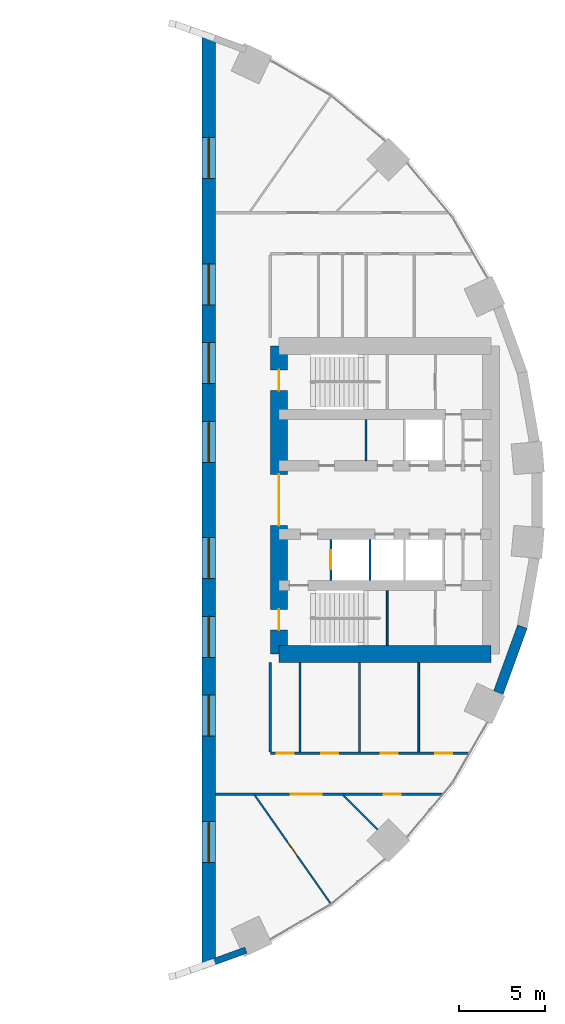
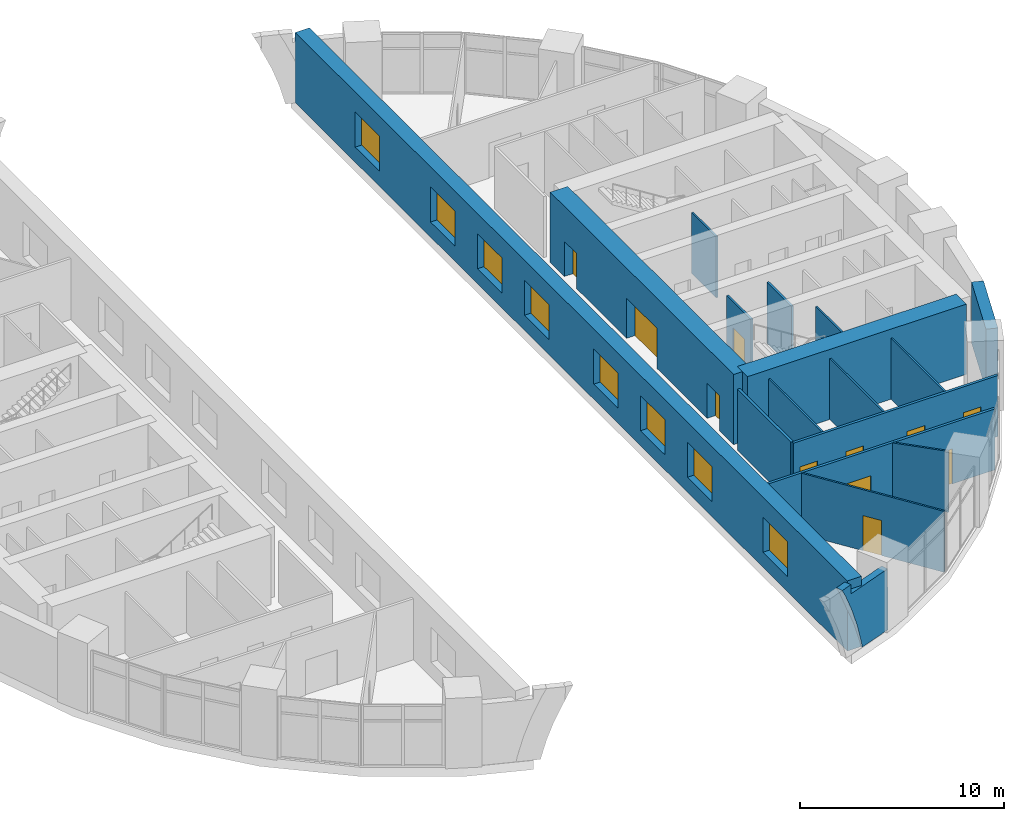
# One storey, part 9 of 13: 17 walls, 11 doors, 8 windows, 19 openings.
"""IFC4 building model written with IfcOpenShell, lengths in metres."""

from ifc_helpers import new_model, si_unit, direction, frame, frame_2d, origin, place, context, subcontext, project, spatial, polyline, rectangle, outline, extrude, material, layer, layer_set, type_object, element, fill, save


model = new_model("IFC4")

# Units and contexts
model_context = context("Model", 3, precision=1e-05, world=origin(), true_north=direction((0.0, 1.0)))
body_context = subcontext(model_context, "Body", "Model", "MODEL_VIEW")
ifc_project = project(units=[si_unit("LENGTHUNIT", "METRE"), si_unit("AREAUNIT", "SQUARE_METRE"), si_unit("VOLUMEUNIT", "CUBIC_METRE"), si_unit("PLANEANGLEUNIT", "RADIAN"), si_unit("MASSUNIT", "GRAM", prefix="KILO")], contexts=[model_context])

# Site, building, storey
site_placement = place(None, origin())
site = spatial("IfcSite", under=ifc_project, at=site_placement, CompositionType="ELEMENT")
building_placement = place(site_placement, origin())
building = spatial("IfcBuilding", under=site, at=building_placement, Name="Saqina Gate Tower", CompositionType="ELEMENT")
storey_placement = place(building_placement, frame((0.0, 0.0, 9.199951171875)))
storey = spatial("IfcBuildingStorey", under=building, at=storey_placement, Name="L02", CompositionType="ELEMENT", Elevation=9.199951171875)

# Walls
ifc_material_1 = material(Name="Gypsum board on steel studs", Category="steel")
ifc_layer_1 = layer(ifc_material_1, 0.10009765625)
ifc_layer_set_1 = layer_set([ifc_layer_1], Name="CORE PARTITION")
wall_type_1 = type_object("IfcWallType", Name="CORE PARTITION", PredefinedType="PARTITIONING", material=ifc_layer_set_1)
wall_1_placement = place(storey_placement, frame((18.582763671875, 2.300048828125, 0.0), z_axis=(0.0, 0.0, 1.0), x_axis=(0.0, 1.0, 0.0)))
element("IfcWall", 1, at=wall_1_placement, inside=storey, type_object=wall_type_1, Name="L02-CP-E01", PredefinedType="PARTITIONING", context=body_context, shape_type="SweptSolid", body=[
    extrude(rectangle(XDim=2.39990234375, YDim=0.10009765625, at=frame_2d((1.199951171875, 0.0))), origin(), (0.0, 0.0, 1.0), 3.650146484375),
])
ifc_material_2 = material(Name="Glazed ceramic tile", Category="ceramic")
ifc_layer_2 = layer(ifc_material_2, 0.3798828125)
ifc_layer_set_2 = layer_set([ifc_layer_2], Name="FW-ARCH")
wall_type_2 = type_object("IfcWallType", Name="FW-ARCH", PredefinedType="SOLIDWALL", material=ifc_layer_set_2)
wall_2_placement = place(storey_placement, frame((11.63427734375, -26.489501953125, 0.0), z_axis=(0.342078632434, -0.939669193197, 0.002004142629), x_axis=(-0.939671080385, -0.342079319292, 7.3534e-08)))
element("IfcWall", 2, at=wall_2_placement, inside=storey, type_object=wall_type_2, Name="Arch frame wall L02 facet 29", PredefinedType="SOLIDWALL", context=body_context, shape_type="SweptSolid", body=[
    extrude(outline(polyline([(0.0, 0.0), (1.948586339003385, -2.168404344971009e-19), (2.014602786141146, -0.34277404568991265), (2.3276440750591147, -1.4948758066941112), (2.7269554784534904, -2.6223193442076744), (3.2106805663229565, -3.719245502818647), (3.466987531791186, -4.1999595577321935), (2.810200064759203, -4.199959469454379), (2.810075262395404, -3.6501537122836964), (-4.4045588333095914e-05, -3.6501537012489695), (0.0, 0.0)])), origin(), (0.0, 0.0, -1.0), 0.3798828125),
])
ifc_material_3 = material(Name="Glazed ceramic tile (white)", Category="ceramic")
ifc_layer_3 = layer(ifc_material_3, 0.60009765625)
ifc_layer_set_3 = layer_set([ifc_layer_3], Name="FW-TILE-WH")
wall_type_3 = type_object("IfcWallType", Name="FW-TILE-WH", PredefinedType="SOLIDWALL", material=ifc_layer_set_3)
wall_3_placement = place(storey_placement, frame((26.327880859375, -11.255126953125, 0.0), z_axis=(0.0, 0.0, 1.0), x_axis=(0.342034744565, 0.939687306241, 0.0)))
element("IfcWall", 3, at=wall_3_placement, inside=storey, type_object=wall_type_3, Name="Facade wall L02 facet 34", PredefinedType="SOLIDWALL", context=body_context, shape_type="SweptSolid", body=[
    extrude(rectangle(XDim=4.099365234375, YDim=0.60009765625, at=frame_2d((2.0498046875, 0.0))), origin(), (0.0, 0.0, 1.0), 3.650146484375),
])

# Wall, opening, door
ifc_material_4 = material(Name="Autoclaved aerated concrete block", Category="concrete")
ifc_layer_4 = layer(ifc_material_4, 0.1201171875)
ifc_layer_set_4 = layer_set([ifc_layer_4], Name="SHAFT PARTITION")
wall_type_4 = type_object("IfcWallType", Name="SHAFT PARTITION", PredefinedType="PARTITIONING", material=ifc_layer_set_4)
wall_4_placement = place(storey_placement, frame((16.530029296875, -4.699951171875, 0.0), z_axis=(0.0, 0.0, 1.0), x_axis=(0.0, 1.0, 0.0)))
wall_4 = element("IfcWall", 4, at=wall_4_placement, inside=storey, type_object=wall_type_4, Name="L02-CP-E05", PredefinedType="PARTITIONING", context=body_context, shape_type="SweptSolid", body=[
    extrude(rectangle(XDim=2.39990234375, YDim=0.1201171875, at=frame_2d((1.199951171875, 0.0))), origin(), (0.0, 0.0, 1.0), 3.650146484375),
])
opening_1_placement = place(wall_4_placement, frame((0.64990234375, 0.0, 0.0)))
opening_1 = element("IfcOpeningElement", 5, at=opening_1_placement, cuts=wall_4, Name="Opening L02-LD2", PredefinedType="OPENING", context=body_context, shape_type="SweptSolid", body=[
    extrude(rectangle(XDim=1.10009765625, YDim=2.10009765625, at=frame_2d((0.550048828125, 1.050048828125))), frame((0.0, 0.072021484375, 0.0), z_axis=(0.0, -1.0, 0.0), x_axis=(1.0, 0.0, 0.0)), (0.0, 0.0, 1.0), 0.14404296875),
])
ifc_material_5 = material(Name="Stainless steel", Category="steel")
door_type_1 = type_object("IfcDoorType", Name="LANDING DOOR", OperationType="DOUBLE_DOOR_SLIDING", PredefinedType="DOOR", material=ifc_material_5)
door_1_placement = place(opening_1_placement, origin())
door_1 = element("IfcDoor", 6, at=door_1_placement, inside=storey, type_object=door_type_1, Name="LANDING DOOR FF1", OperationType="DOUBLE_DOOR_SLIDING", OverallHeight=2.10009765625, OverallWidth=1.10009765625, PredefinedType="DOOR", context=body_context, shape_type="SweptSolid", body=[
    extrude(rectangle(XDim=1.10009765625, YDim=2.10009765625, at=frame_2d((0.550048828125, 1.050048828125))), frame((0.0, 0.02490234375, 0.0), z_axis=(0.0, -1.0, 0.0), x_axis=(1.0, 0.0, 0.0)), (0.0, 0.0, 1.0), 0.050048828125),
])
fill(opening_1, door_1)

# Wall
wall_5_placement = place(storey_placement, frame((18.81005859375, -4.699951171875, 0.0), z_axis=(0.0, 0.0, 1.0), x_axis=(0.0, 1.0, 0.0)))
element("IfcWall", 7, at=wall_5_placement, inside=storey, type_object=wall_type_4, Name="L02-CP-E06", PredefinedType="PARTITIONING", context=body_context, shape_type="SweptSolid", body=[
    extrude(rectangle(XDim=2.39990234375, YDim=0.1201171875, at=frame_2d((1.199951171875, 0.0))), origin(), (0.0, 0.0, 1.0), 3.650146484375),
])

# Wall, opening, door
ifc_material_6 = material(Name="Gypsum board on steel studs, 100 mm", Category="steel")
ifc_layer_5 = layer(ifc_material_6, 0.10009765625)
ifc_layer_set_5 = layer_set([ifc_layer_5], Name="SPECIAL PARTITION 100")
wall_type_5 = type_object("IfcWallType", Name="SPECIAL PARTITION 100", PredefinedType="PARTITIONING", material=ifc_layer_set_5)
wall_6_placement = place(storey_placement, frame((12.0869140625, -17.261474609375, 0.0), z_axis=(0.0, 0.0, 1.0), x_axis=(0.573585327229, -0.819145818758, 0.0)))
wall_6 = element("IfcWall", 8, at=wall_6_placement, inside=storey, type_object=wall_type_5, Name="PARTITION 002", PredefinedType="PARTITIONING", context=body_context, shape_type="SweptSolid", body=[
    extrude(rectangle(XDim=7.72705078125, YDim=0.10009765625, at=frame_2d((3.863525390625, 0.0))), origin(), (0.0, 0.0, 1.0), 3.650146484375),
])
opening_2_placement = place(wall_6_placement, frame((3.325927734375, 0.0, 0.0)))
opening_2 = element("IfcOpeningElement", 9, at=opening_2_placement, cuts=wall_6, Name="Opening L02-D23", PredefinedType="OPENING", context=body_context, shape_type="SweptSolid", body=[
    extrude(rectangle(XDim=1.0, YDim=2.10009765625, at=frame_2d((0.5, 1.050048828125))), frame((0.0, 0.06201171875, 0.0), z_axis=(0.0, -1.0, 0.0), x_axis=(1.0, 0.0, 0.0)), (0.0, 0.0, 1.0), 0.1240234375),
])
ifc_material_7 = material(Name="Timber door leaf", Category="wood")
door_type_2 = type_object("IfcDoorType", Name="SPECIAL DOOR 1000 TIMBER", OperationType="SINGLE_SWING_LEFT", PredefinedType="DOOR", material=ifc_material_7)
door_2_placement = place(opening_2_placement, frame((1.0, 0.0, 0.0), z_axis=(0.0, 0.0, 1.0), x_axis=(-1.0, 0.0, 0.0)))
door_2 = element("IfcDoor", 10, at=door_2_placement, inside=storey, type_object=door_type_2, Name="DOOR L02-D23", OperationType="SINGLE_SWING_RIGHT", OverallHeight=2.10009765625, OverallWidth=1.0, PredefinedType="DOOR", context=body_context, shape_type="SweptSolid", body=[
    extrude(rectangle(XDim=1.0, YDim=2.10009765625, at=frame_2d((0.5, 1.050048828125))), frame((0.0, 0.02490234375, 0.0), z_axis=(0.0, -1.0, 0.0), x_axis=(1.0, 0.0, 0.0)), (0.0, 0.0, 1.0), 0.050048828125),
])
fill(opening_2, door_2)

# Walls
wall_7_placement = place(storey_placement, frame((17.2529296875, -17.2529296875, 0.0), z_axis=(0.0, 0.0, 1.0), x_axis=(0.707321609299, -0.706891887787, 0.0)))
element("IfcWall", 11, at=wall_7_placement, inside=storey, type_object=wall_type_5, Name="PARTITION 003", PredefinedType="PARTITIONING", context=body_context, shape_type="SweptSolid", body=[
    extrude(rectangle(XDim=2.840576171875, YDim=0.10009765625, at=frame_2d((1.42041015625, 0.0))), origin(), (0.0, 0.0, 1.0), 3.650146484375),
])
for number, where, z_axis, x_axis, name in (
    (12, (21.6669921875, -14.72509765625, 0.0), (0.0, 0.0, 1.0), (0.0, 1.0, 0.0), "PARTITION 017"),
    (13, (18.199951171875, -14.72509765625, 0.0), (0.0, 0.0, 1.0), (0.0, 1.0, 0.0), "PARTITION 020"),
    (14, (14.73291015625, -14.72509765625, 0.0), (0.0, 0.0, 1.0), (0.0, 1.0, 0.0), "PARTITION 023"),
):
    element("IfcWall", number, at=place(storey_placement, frame(where, z_axis=z_axis, x_axis=x_axis)), inside=storey, type_object=wall_type_5, Name=name, PredefinedType="PARTITIONING", context=body_context, shape_type="SweptSolid", body=[
        extrude(rectangle(XDim=5.22509765625, YDim=0.10009765625, at=frame_2d((2.612548828125, 0.0))), origin(), (0.0, 0.0, 1.0), 3.650146484375),
    ])

# Wall, openings, doors
ifc_material_8 = material(Name="Gypsum board on steel studs, 150 mm, fire rated", Category="steel")
ifc_layer_6 = layer(ifc_material_8, 0.14990234375)
ifc_layer_set_6 = layer_set([ifc_layer_6], Name="SPECIAL PARTITION EI 30 150")
wall_type_6 = type_object("IfcWallType", Name="SPECIAL PARTITION EI 30 150", PredefinedType="PARTITIONING", material=ifc_layer_set_6)
wall_8_placement = place(storey_placement, frame((9.800048828125, -17.199951171875, 0.0), z_axis=(0.0, 0.0, 1.0), x_axis=(1.0, 0.0, 0.0)))
wall_8 = element("IfcWall", 15, at=wall_8_placement, inside=storey, type_object=wall_type_6, Name="PARTITION 005", PredefinedType="PARTITIONING", context=body_context, shape_type="SweptSolid", body=[
    extrude(rectangle(XDim=13.219970703125, YDim=0.14990234375, at=frame_2d((6.60986328125, 0.0))), origin(), (0.0, 0.0, 1.0), 3.650146484375),
])
opening_3_placement = place(wall_8_placement, frame((4.39794921875, 0.0, 0.0)))
opening_3 = element("IfcOpeningElement", 16, at=opening_3_placement, cuts=wall_8, Name="Opening L02-D24", PredefinedType="OPENING", context=body_context, shape_type="SweptSolid", body=[
    extrude(rectangle(XDim=1.800048828125, YDim=2.10009765625, at=frame_2d((0.89990234375, 1.050048828125))), frame((0.0, 0.0869140625, 0.0), z_axis=(0.0, -1.0, 0.0), x_axis=(1.0, 0.0, 0.0)), (0.0, 0.0, 1.0), 0.173828125),
])
opening_4_placement = place(wall_8_placement, frame((9.81005859375, 0.0, 0.0)))
opening_4 = element("IfcOpeningElement", 17, at=opening_4_placement, cuts=wall_8, Name="Opening L02-D27", PredefinedType="OPENING", context=body_context, shape_type="SweptSolid", body=[
    extrude(rectangle(XDim=1.0, YDim=2.10009765625, at=frame_2d((0.5, 1.050048828125))), frame((0.0, 0.0869140625, 0.0), z_axis=(0.0, -1.0, 0.0), x_axis=(1.0, 0.0, 0.0)), (0.0, 0.0, 1.0), 0.173828125),
])
ifc_material_9 = material(Name="Steel-framed fire door leaf, EI 30", Category="steel")
door_type_3 = type_object("IfcDoorType", Name="SPECIAL DOOR 1000 FIRE EI 30", OperationType="SINGLE_SWING_LEFT", PredefinedType="DOOR", material=ifc_material_9)
door_3_placement = place(opening_4_placement, frame((1.0, 0.0, 0.0), z_axis=(0.0, 0.0, 1.0), x_axis=(-1.0, 0.0, 0.0)))
door_3 = element("IfcDoor", 18, at=door_3_placement, inside=storey, type_object=door_type_3, Name="DOOR L02-D27", OperationType="SINGLE_SWING_LEFT", OverallHeight=2.10009765625, OverallWidth=1.0, PredefinedType="DOOR", context=body_context, shape_type="SweptSolid", body=[
    extrude(rectangle(XDim=1.0, YDim=2.10009765625, at=frame_2d((0.5, 1.050048828125))), frame((0.0, 0.02490234375, 0.0), z_axis=(0.0, -1.0, 0.0), x_axis=(1.0, 0.0, 0.0)), (0.0, 0.0, 1.0), 0.050048828125),
])
fill(opening_4, door_3)
ifc_material_10 = material(Name="Steel-framed fire door leaf, EI 30", Category="steel")
door_type_4 = type_object("IfcDoorType", Name="SPECIAL DOUBLE DOOR 1800 FIRE EI 30", OperationType="DOUBLE_DOOR_SINGLE_SWING", PredefinedType="DOOR", material=ifc_material_10)
door_4_placement = place(opening_3_placement, frame((1.800048828125, 0.0, 0.0), z_axis=(0.0, 0.0, 1.0), x_axis=(-1.0, 0.0, 0.0)))
door_4 = element("IfcDoor", 19, at=door_4_placement, inside=storey, type_object=door_type_4, Name="DOOR L02-D24", OperationType="DOUBLE_DOOR_SINGLE_SWING", OverallHeight=2.10009765625, OverallWidth=1.800048828125, PredefinedType="DOOR", context=body_context, shape_type="SweptSolid", body=[
    extrude(rectangle(XDim=1.800048828125, YDim=2.10009765625, at=frame_2d((0.89990234375, 1.050048828125))), frame((0.0, 0.02490234375, 0.0), z_axis=(0.0, -1.0, 0.0), x_axis=(1.0, 0.0, 0.0)), (0.0, 0.0, 1.0), 0.050048828125),
])
fill(opening_3, door_4)

wall_9_placement = place(storey_placement, frame((13.0, -14.800048828125, 0.0), z_axis=(0.0, 0.0, 1.0), x_axis=(1.0, 0.0, 0.0)))
wall_9 = element("IfcWall", 20, at=wall_9_placement, inside=storey, type_object=wall_type_6, Name="PARTITION 007", PredefinedType="PARTITIONING", context=body_context, shape_type="SweptSolid", body=[
    extrude(rectangle(XDim=11.5830078125, YDim=0.14990234375, at=frame_2d((5.79150390625, 0.0))), origin(), (0.0, 0.0, 1.0), 3.650146484375),
])
opening_5_placement = place(wall_9_placement, frame((0.366455078125, 0.0, 0.0)))
opening_5 = element("IfcOpeningElement", 21, at=opening_5_placement, cuts=wall_9, Name="Opening L02-D25", PredefinedType="OPENING", context=body_context, shape_type="SweptSolid", body=[
    extrude(rectangle(XDim=1.0, YDim=2.10009765625, at=frame_2d((0.5, 1.050048828125))), frame((0.0, 0.0869140625, 0.0), z_axis=(0.0, -1.0, 0.0), x_axis=(1.0, 0.0, 0.0)), (0.0, 0.0, 1.0), 0.173828125),
])
opening_6_placement = place(wall_9_placement, frame((2.966552734375, 0.0, 0.0)))
opening_6 = element("IfcOpeningElement", 22, at=opening_6_placement, cuts=wall_9, Name="Opening L02-D26", PredefinedType="OPENING", context=body_context, shape_type="SweptSolid", body=[
    extrude(rectangle(XDim=1.0, YDim=2.10009765625, at=frame_2d((0.5, 1.050048828125))), frame((0.0, 0.0869140625, 0.0), z_axis=(0.0, -1.0, 0.0), x_axis=(1.0, 0.0, 0.0)), (0.0, 0.0, 1.0), 0.173828125),
])
opening_7_placement = place(wall_9_placement, frame((6.43359375, 0.0, 0.0)))
opening_7 = element("IfcOpeningElement", 23, at=opening_7_placement, cuts=wall_9, Name="Opening L02-D28", PredefinedType="OPENING", context=body_context, shape_type="SweptSolid", body=[
    extrude(rectangle(XDim=1.0, YDim=2.10009765625, at=frame_2d((0.5, 1.050048828125))), frame((0.0, 0.0869140625, 0.0), z_axis=(0.0, -1.0, 0.0), x_axis=(1.0, 0.0, 0.0)), (0.0, 0.0, 1.0), 0.173828125),
])
opening_8_placement = place(wall_9_placement, frame((9.625, 0.0, 0.0)))
opening_8 = element("IfcOpeningElement", 24, at=opening_8_placement, cuts=wall_9, Name="Opening L02-D29", PredefinedType="OPENING", context=body_context, shape_type="SweptSolid", body=[
    extrude(rectangle(XDim=1.0, YDim=2.10009765625, at=frame_2d((0.5, 1.050048828125))), frame((0.0, 0.0869140625, 0.0), z_axis=(0.0, -1.0, 0.0), x_axis=(1.0, 0.0, 0.0)), (0.0, 0.0, 1.0), 0.173828125),
])
door_5_placement = place(opening_5_placement, origin())
door_5 = element("IfcDoor", 25, at=door_5_placement, inside=storey, type_object=door_type_3, Name="DOOR L02-D25", OperationType="SINGLE_SWING_LEFT", OverallHeight=2.10009765625, OverallWidth=1.0, PredefinedType="DOOR", context=body_context, shape_type="SweptSolid", body=[
    extrude(rectangle(XDim=1.0, YDim=2.10009765625, at=frame_2d((0.5, 1.050048828125))), frame((0.0, 0.02490234375, 0.0), z_axis=(0.0, -1.0, 0.0), x_axis=(1.0, 0.0, 0.0)), (0.0, 0.0, 1.0), 0.050048828125),
])
fill(opening_5, door_5)
door_6_placement = place(opening_6_placement, origin())
door_6 = element("IfcDoor", 26, at=door_6_placement, inside=storey, type_object=door_type_3, Name="DOOR L02-D26", OperationType="SINGLE_SWING_LEFT", OverallHeight=2.10009765625, OverallWidth=1.0, PredefinedType="DOOR", context=body_context, shape_type="SweptSolid", body=[
    extrude(rectangle(XDim=1.0, YDim=2.10009765625, at=frame_2d((0.5, 1.050048828125))), frame((0.0, 0.02490234375, 0.0), z_axis=(0.0, -1.0, 0.0), x_axis=(1.0, 0.0, 0.0)), (0.0, 0.0, 1.0), 0.050048828125),
])
fill(opening_6, door_6)
door_7_placement = place(opening_7_placement, origin())
door_7 = element("IfcDoor", 27, at=door_7_placement, inside=storey, type_object=door_type_3, Name="DOOR L02-D28", OperationType="SINGLE_SWING_RIGHT", OverallHeight=2.10009765625, OverallWidth=1.0, PredefinedType="DOOR", context=body_context, shape_type="SweptSolid", body=[
    extrude(rectangle(XDim=1.0, YDim=2.10009765625, at=frame_2d((0.5, 1.050048828125))), frame((0.0, 0.02490234375, 0.0), z_axis=(0.0, -1.0, 0.0), x_axis=(1.0, 0.0, 0.0)), (0.0, 0.0, 1.0), 0.050048828125),
])
fill(opening_7, door_7)
door_8_placement = place(opening_8_placement, origin())
door_8 = element("IfcDoor", 28, at=door_8_placement, inside=storey, type_object=door_type_3, Name="DOOR L02-D29", OperationType="SINGLE_SWING_RIGHT", OverallHeight=2.10009765625, OverallWidth=1.0, PredefinedType="DOOR", context=body_context, shape_type="SweptSolid", body=[
    extrude(rectangle(XDim=1.0, YDim=2.10009765625, at=frame_2d((0.5, 1.050048828125))), frame((0.0, 0.02490234375, 0.0), z_axis=(0.0, -1.0, 0.0), x_axis=(1.0, 0.0, 0.0)), (0.0, 0.0, 1.0), 0.050048828125),
])
fill(opening_8, door_8)

# Walls
wall_10_placement = place(storey_placement, frame((13.0, -14.72509765625, 0.0), z_axis=(0.0, 0.0, 1.0), x_axis=(0.0, 1.0, 0.0)))
element("IfcWall", 29, at=wall_10_placement, inside=storey, type_object=wall_type_6, Name="PARTITION 024", PredefinedType="PARTITIONING", context=body_context, shape_type="SweptSolid", body=[
    extrude(rectangle(XDim=5.22509765625, YDim=0.14990234375, at=frame_2d((2.612548828125, 0.0))), origin(), (0.0, 0.0, 1.0), 3.650146484375),
])
ifc_material_11 = material(Name="Autoclaved aerated concrete block", Category="concrete")
ifc_layer_7 = layer(ifc_material_11, 0.10009765625)
ifc_layer_set_7 = layer_set([ifc_layer_7], Name="STAIR ENCLOSURE WALL")
wall_type_7 = type_object("IfcWallType", Name="STAIR ENCLOSURE WALL", PredefinedType="PARTITIONING", material=ifc_layer_set_7)
wall_11_placement = place(storey_placement, frame((19.830078125, -8.5, 0.0), z_axis=(0.0, 0.0, 1.0), x_axis=(0.0, 1.0, 0.0)))
element("IfcWall", 30, at=wall_11_placement, inside=storey, type_object=wall_type_7, Name="L02-CP-E13", PredefinedType="PARTITIONING", context=body_context, shape_type="SweptSolid", body=[
    extrude(rectangle(XDim=3.199951171875, YDim=0.10009765625, at=frame_2d((1.60009765625, 0.0))), origin(), (0.0, 0.0, 1.0), 3.650146484375),
])

# Wall, openings, doors
ifc_material_12 = material(Name="Concrete C70/85", Category="concrete")
ifc_layer_8 = layer(ifc_material_12, 1.0)
ifc_layer_set_8 = layer_set([ifc_layer_8], Name="Concrete C70/85")
wall_type_8 = type_object("IfcWallType", Name="STR-CORE WALL-P-O", PredefinedType="SHEAR", material=ifc_layer_set_8)
wall_12_placement = place(storey_placement, frame((13.5, -9.0, 0.0), z_axis=(0.0, 0.0, 1.0), x_axis=(0.0, 1.0, 0.0)))
wall_12 = element("IfcWall", 31, at=wall_12_placement, inside=storey, type_object=wall_type_8, Name="CORE WALL L02 E-W1", PredefinedType="SHEAR", context=body_context, shape_type="SweptSolid", body=[
    extrude(rectangle(XDim=18.0, YDim=1.0, at=frame_2d((9.0, 0.0))), origin(), (0.0, 0.0, 1.0), 4.199951171875),
])
opening_9_placement = place(wall_12_placement, frame((15.39990234375, 0.0, 0.0)))
opening_9 = element("IfcOpeningElement", 32, at=opening_9_placement, cuts=wall_12, Name="Opening L02-D103", PredefinedType="OPENING", context=body_context, shape_type="SweptSolid", body=[
    extrude(rectangle(XDim=1.199951171875, YDim=2.10009765625, at=frame_2d((0.60009765625, 1.050048828125))), frame((0.0, 0.511962890625, 0.0), z_axis=(0.0, -1.0, 0.0), x_axis=(1.0, 0.0, 0.0)), (0.0, 0.0, 1.0), 1.02392578125),
])
opening_10_placement = place(wall_12_placement, frame((1.39990234375, 0.0, 0.0)))
opening_10 = element("IfcOpeningElement", 33, at=opening_10_placement, cuts=wall_12, Name="Opening L02-D104", PredefinedType="OPENING", context=body_context, shape_type="SweptSolid", body=[
    extrude(rectangle(XDim=1.199951171875, YDim=2.10009765625, at=frame_2d((0.60009765625, 1.050048828125))), frame((0.0, 0.511962890625, 0.0), z_axis=(0.0, -1.0, 0.0), x_axis=(1.0, 0.0, 0.0)), (0.0, 0.0, 1.0), 1.02392578125),
])
opening_11_placement = place(wall_12_placement, frame((7.5, 0.0, 0.0)))
opening_11 = element("IfcOpeningElement", 34, at=opening_11_placement, cuts=wall_12, Name="Opening L02-D105", PredefinedType="OPENING", context=body_context, shape_type="SweptSolid", body=[
    extrude(rectangle(XDim=3.0, YDim=2.39990234375, at=frame_2d((1.5, 1.199951171875))), frame((0.0, 0.511962890625, 0.0), z_axis=(0.0, -1.0, 0.0), x_axis=(1.0, 0.0, 0.0)), (0.0, 0.0, 1.0), 1.02392578125),
])
ifc_material_13 = material(Name="Steel", Category="steel")
door_type_5 = type_object("IfcDoorType", Name="FIRE DOOR EI 60", OperationType="SINGLE_SWING_LEFT", PredefinedType="DOOR", material=ifc_material_13)
door_9_placement = place(opening_9_placement, frame((1.199951171875, 0.0, 0.0), z_axis=(0.0, 0.0, 1.0), x_axis=(-1.0, 0.0, 0.0)))
door_9 = element("IfcDoor", 35, at=door_9_placement, inside=storey, type_object=door_type_5, Name="L02-CD-E14", OperationType="SINGLE_SWING_LEFT", OverallHeight=2.10009765625, OverallWidth=1.199951171875, PredefinedType="DOOR", context=body_context, shape_type="SweptSolid", body=[
    extrude(rectangle(XDim=1.199951171875, YDim=2.10009765625, at=frame_2d((0.60009765625, 1.050048828125))), frame((0.0, 0.02490234375, 0.0), z_axis=(0.0, -1.0, 0.0), x_axis=(1.0, 0.0, 0.0)), (0.0, 0.0, 1.0), 0.050048828125),
])
fill(opening_9, door_9)
door_10_placement = place(opening_10_placement, frame((1.199951171875, 0.0, 0.0), z_axis=(0.0, 0.0, 1.0), x_axis=(-1.0, 0.0, 0.0)))
door_10 = element("IfcDoor", 36, at=door_10_placement, inside=storey, type_object=door_type_5, Name="L02-CD-E15", OperationType="SINGLE_SWING_RIGHT", OverallHeight=2.10009765625, OverallWidth=1.199951171875, PredefinedType="DOOR", context=body_context, shape_type="SweptSolid", body=[
    extrude(rectangle(XDim=1.199951171875, YDim=2.10009765625, at=frame_2d((0.60009765625, 1.050048828125))), frame((0.0, 0.02490234375, 0.0), z_axis=(0.0, -1.0, 0.0), x_axis=(1.0, 0.0, 0.0)), (0.0, 0.0, 1.0), 0.050048828125),
])
fill(opening_10, door_10)
ifc_material_14 = material(Name="Steel and fire-resisting glass", Category="steel")
door_type_6 = type_object("IfcDoorType", Name="LOBBY SCREEN DOOR", OperationType="DOUBLE_DOOR_SLIDING", PredefinedType="DOOR", material=ifc_material_14)
door_11_placement = place(opening_11_placement, origin())
door_11 = element("IfcDoor", 37, at=door_11_placement, inside=storey, type_object=door_type_6, Name="L02-CD-E16", OperationType="DOUBLE_DOOR_SLIDING", OverallHeight=2.39990234375, OverallWidth=3.0, PredefinedType="DOOR", context=body_context, shape_type="SweptSolid", body=[
    extrude(rectangle(XDim=3.0, YDim=2.39990234375, at=frame_2d((1.5, 1.199951171875))), frame((0.0, 0.02490234375, 0.0), z_axis=(0.0, -1.0, 0.0), x_axis=(1.0, 0.0, 0.0)), (0.0, 0.0, 1.0), 0.050048828125),
])
fill(opening_11, door_11)

# Wall
wall_13_placement = place(storey_placement, frame((13.5, -9.0, 0.0), z_axis=(0.0, 0.0, 1.0), x_axis=(1.0, 0.0, 0.0)))
element("IfcWall", 38, at=wall_13_placement, inside=storey, type_object=wall_type_8, Name="CORE WALL L02 E-SE", PredefinedType="SHEAR", context=body_context, shape_type="SweptSolid", body=[
    extrude(rectangle(XDim=12.39990234375, YDim=1.0, at=frame_2d((6.199951171875, 0.0))), origin(), (0.0, 0.0, 1.0), 4.199951171875),
])

# Wall, openings, windows
ifc_material_15 = material(Name="Concrete C70/85", Category="concrete")
ifc_layer_9 = layer(ifc_material_15, 0.800048828125)
ifc_layer_set_9 = layer_set([ifc_layer_9], Name="Concrete C70/85")
wall_type_9 = type_object("IfcWallType", Name="STR-PIER-PASSAGE", PredefinedType="SHEAR", material=ifc_layer_set_9)
wall_14_placement = place(storey_placement, frame((9.39990234375, -27.076904296875, 0.0), z_axis=(0.0, 0.0, 1.0), x_axis=(0.0, 1.0, 0.0)))
wall_14 = element("IfcWall", 39, at=wall_14_placement, inside=storey, type_object=wall_type_9, Name="L02-FLKE", PredefinedType="SHEAR", context=body_context, shape_type="SweptSolid", body=[
    extrude(rectangle(XDim=54.15380859375, YDim=0.800048828125, at=frame_2d((27.076904296875, 0.0))), origin(), (0.0, 0.0, 1.0), 4.199951171875),
])
opening_12_placement = place(wall_14_placement, frame((13.27685546875, 0.0, 0.89990234375)))
opening_12 = element("IfcOpeningElement", 40, at=opening_12_placement, cuts=wall_14, Name="Opening L02-W50", PredefinedType="OPENING", context=body_context, shape_type="SweptSolid", body=[
    extrude(rectangle(XDim=2.39990234375, YDim=2.10009765625, at=frame_2d((1.199951171875, 1.050048828125))), frame((0.0, 0.412109375, 0.0), z_axis=(0.0, -1.0, 0.0), x_axis=(1.0, 0.0, 0.0)), (0.0, 0.0, 1.0), 0.823974609375),
])
opening_13_placement = place(wall_14_placement, frame((17.876708984375, 0.0, 0.89990234375)))
opening_13 = element("IfcOpeningElement", 41, at=opening_13_placement, cuts=wall_14, Name="Opening L02-W51", PredefinedType="OPENING", context=body_context, shape_type="SweptSolid", body=[
    extrude(rectangle(XDim=2.39990234375, YDim=2.10009765625, at=frame_2d((1.199951171875, 1.050048828125))), frame((0.0, 0.412109375, 0.0), z_axis=(0.0, -1.0, 0.0), x_axis=(1.0, 0.0, 0.0)), (0.0, 0.0, 1.0), 0.823974609375),
])
opening_14_placement = place(wall_14_placement, frame((22.476806640625, 0.0, 0.89990234375)))
opening_14 = element("IfcOpeningElement", 42, at=opening_14_placement, cuts=wall_14, Name="Opening L02-W52", PredefinedType="OPENING", context=body_context, shape_type="SweptSolid", body=[
    extrude(rectangle(XDim=2.39990234375, YDim=2.10009765625, at=frame_2d((1.199951171875, 1.050048828125))), frame((0.0, 0.412109375, 0.0), z_axis=(0.0, -1.0, 0.0), x_axis=(1.0, 0.0, 0.0)), (0.0, 0.0, 1.0), 0.823974609375),
])
opening_15_placement = place(wall_14_placement, frame((29.27685546875, 0.0, 0.89990234375)))
opening_15 = element("IfcOpeningElement", 43, at=opening_15_placement, cuts=wall_14, Name="Opening L02-W53", PredefinedType="OPENING", context=body_context, shape_type="SweptSolid", body=[
    extrude(rectangle(XDim=2.39990234375, YDim=2.10009765625, at=frame_2d((1.199951171875, 1.050048828125))), frame((0.0, 0.412109375, 0.0), z_axis=(0.0, -1.0, 0.0), x_axis=(1.0, 0.0, 0.0)), (0.0, 0.0, 1.0), 0.823974609375),
])
opening_16_placement = place(wall_14_placement, frame((33.876708984375, 0.0, 0.89990234375)))
opening_16 = element("IfcOpeningElement", 44, at=opening_16_placement, cuts=wall_14, Name="Opening L02-W54", PredefinedType="OPENING", context=body_context, shape_type="SweptSolid", body=[
    extrude(rectangle(XDim=2.39990234375, YDim=2.10009765625, at=frame_2d((1.199951171875, 1.050048828125))), frame((0.0, 0.412109375, 0.0), z_axis=(0.0, -1.0, 0.0), x_axis=(1.0, 0.0, 0.0)), (0.0, 0.0, 1.0), 0.823974609375),
])
opening_17_placement = place(wall_14_placement, frame((38.476806640625, 0.0, 0.89990234375)))
opening_17 = element("IfcOpeningElement", 45, at=opening_17_placement, cuts=wall_14, Name="Opening L02-W55", PredefinedType="OPENING", context=body_context, shape_type="SweptSolid", body=[
    extrude(rectangle(XDim=2.39990234375, YDim=2.10009765625, at=frame_2d((1.199951171875, 1.050048828125))), frame((0.0, 0.412109375, 0.0), z_axis=(0.0, -1.0, 0.0), x_axis=(1.0, 0.0, 0.0)), (0.0, 0.0, 1.0), 0.823974609375),
])
opening_18_placement = place(wall_14_placement, frame((5.876708984375, 0.0, 0.89990234375)))
opening_18 = element("IfcOpeningElement", 46, at=opening_18_placement, cuts=wall_14, Name="Opening L02-W56", PredefinedType="OPENING", context=body_context, shape_type="SweptSolid", body=[
    extrude(rectangle(XDim=2.39990234375, YDim=2.10009765625, at=frame_2d((1.199951171875, 1.050048828125))), frame((0.0, 0.412109375, 0.0), z_axis=(0.0, -1.0, 0.0), x_axis=(1.0, 0.0, 0.0)), (0.0, 0.0, 1.0), 0.823974609375),
])
opening_19_placement = place(wall_14_placement, frame((45.876708984375, 0.0, 0.89990234375)))
opening_19 = element("IfcOpeningElement", 47, at=opening_19_placement, cuts=wall_14, Name="Opening L02-W57", PredefinedType="OPENING", context=body_context, shape_type="SweptSolid", body=[
    extrude(rectangle(XDim=2.39990234375, YDim=2.10009765625, at=frame_2d((1.199951171875, 1.050048828125))), frame((0.0, 0.412109375, 0.0), z_axis=(0.0, -1.0, 0.0), x_axis=(1.0, 0.0, 0.0)), (0.0, 0.0, 1.0), 0.823974609375),
])
ifc_material_16 = material(Name="Double glazed unit in aluminium frame", Category="aluminium")
window_type = type_object("IfcWindowType", Name="AMENITY WINDOW 2400", PartitioningType="SINGLE_PANEL", PredefinedType="WINDOW", material=ifc_material_16)
window_1_placement = place(opening_12_placement, origin())
window_1 = element("IfcWindow", 48, at=window_1_placement, inside=storey, type_object=window_type, Name="Amenity window", OverallHeight=2.10009765625, OverallWidth=2.39990234375, PartitioningType="SINGLE_PANEL", PredefinedType="WINDOW", context=body_context, shape_type="SweptSolid", body=[
    extrude(rectangle(XDim=2.39990234375, YDim=2.10009765625, at=frame_2d((1.199951171875, 1.050048828125))), frame((0.0, 0.030029296875, 0.0), z_axis=(0.0, -1.0, 0.0), x_axis=(1.0, 0.0, 0.0)), (0.0, 0.0, 1.0), 0.06005859375),
])
fill(opening_12, window_1)
window_2_placement = place(opening_13_placement, origin())
window_2 = element("IfcWindow", 49, at=window_2_placement, inside=storey, type_object=window_type, Name="Amenity window", OverallHeight=2.10009765625, OverallWidth=2.39990234375, PartitioningType="SINGLE_PANEL", PredefinedType="WINDOW", context=body_context, shape_type="SweptSolid", body=[
    extrude(rectangle(XDim=2.39990234375, YDim=2.10009765625, at=frame_2d((1.199951171875, 1.050048828125))), frame((0.0, 0.030029296875, 0.0), z_axis=(0.0, -1.0, 0.0), x_axis=(1.0, 0.0, 0.0)), (0.0, 0.0, 1.0), 0.06005859375),
])
fill(opening_13, window_2)
window_3_placement = place(opening_14_placement, origin())
window_3 = element("IfcWindow", 50, at=window_3_placement, inside=storey, type_object=window_type, Name="Amenity window", OverallHeight=2.10009765625, OverallWidth=2.39990234375, PartitioningType="SINGLE_PANEL", PredefinedType="WINDOW", context=body_context, shape_type="SweptSolid", body=[
    extrude(rectangle(XDim=2.39990234375, YDim=2.10009765625, at=frame_2d((1.199951171875, 1.050048828125))), frame((0.0, 0.030029296875, 0.0), z_axis=(0.0, -1.0, 0.0), x_axis=(1.0, 0.0, 0.0)), (0.0, 0.0, 1.0), 0.06005859375),
])
fill(opening_14, window_3)
window_4_placement = place(opening_15_placement, origin())
window_4 = element("IfcWindow", 51, at=window_4_placement, inside=storey, type_object=window_type, Name="Amenity window", OverallHeight=2.10009765625, OverallWidth=2.39990234375, PartitioningType="SINGLE_PANEL", PredefinedType="WINDOW", context=body_context, shape_type="SweptSolid", body=[
    extrude(rectangle(XDim=2.39990234375, YDim=2.10009765625, at=frame_2d((1.199951171875, 1.050048828125))), frame((0.0, 0.030029296875, 0.0), z_axis=(0.0, -1.0, 0.0), x_axis=(1.0, 0.0, 0.0)), (0.0, 0.0, 1.0), 0.06005859375),
])
fill(opening_15, window_4)
window_5_placement = place(opening_16_placement, origin())
window_5 = element("IfcWindow", 52, at=window_5_placement, inside=storey, type_object=window_type, Name="Amenity window", OverallHeight=2.10009765625, OverallWidth=2.39990234375, PartitioningType="SINGLE_PANEL", PredefinedType="WINDOW", context=body_context, shape_type="SweptSolid", body=[
    extrude(rectangle(XDim=2.39990234375, YDim=2.10009765625, at=frame_2d((1.199951171875, 1.050048828125))), frame((0.0, 0.030029296875, 0.0), z_axis=(0.0, -1.0, 0.0), x_axis=(1.0, 0.0, 0.0)), (0.0, 0.0, 1.0), 0.06005859375),
])
fill(opening_16, window_5)
window_6_placement = place(opening_17_placement, origin())
window_6 = element("IfcWindow", 53, at=window_6_placement, inside=storey, type_object=window_type, Name="Amenity window", OverallHeight=2.10009765625, OverallWidth=2.39990234375, PartitioningType="SINGLE_PANEL", PredefinedType="WINDOW", context=body_context, shape_type="SweptSolid", body=[
    extrude(rectangle(XDim=2.39990234375, YDim=2.10009765625, at=frame_2d((1.199951171875, 1.050048828125))), frame((0.0, 0.030029296875, 0.0), z_axis=(0.0, -1.0, 0.0), x_axis=(1.0, 0.0, 0.0)), (0.0, 0.0, 1.0), 0.06005859375),
])
fill(opening_17, window_6)
window_7_placement = place(opening_18_placement, origin())
window_7 = element("IfcWindow", 54, at=window_7_placement, inside=storey, type_object=window_type, Name="Amenity window", OverallHeight=2.10009765625, OverallWidth=2.39990234375, PartitioningType="SINGLE_PANEL", PredefinedType="WINDOW", context=body_context, shape_type="SweptSolid", body=[
    extrude(rectangle(XDim=2.39990234375, YDim=2.10009765625, at=frame_2d((1.199951171875, 1.050048828125))), frame((0.0, 0.030029296875, 0.0), z_axis=(0.0, -1.0, 0.0), x_axis=(1.0, 0.0, 0.0)), (0.0, 0.0, 1.0), 0.06005859375),
])
fill(opening_18, window_7)
window_8_placement = place(opening_19_placement, origin())
window_8 = element("IfcWindow", 55, at=window_8_placement, inside=storey, type_object=window_type, Name="Amenity window", OverallHeight=2.10009765625, OverallWidth=2.39990234375, PartitioningType="SINGLE_PANEL", PredefinedType="WINDOW", context=body_context, shape_type="SweptSolid", body=[
    extrude(rectangle(XDim=2.39990234375, YDim=2.10009765625, at=frame_2d((1.199951171875, 1.050048828125))), frame((0.0, 0.030029296875, 0.0), z_axis=(0.0, -1.0, 0.0), x_axis=(1.0, 0.0, 0.0)), (0.0, 0.0, 1.0), 0.06005859375),
])
fill(opening_19, window_8)

save(model, "model.ifc")
